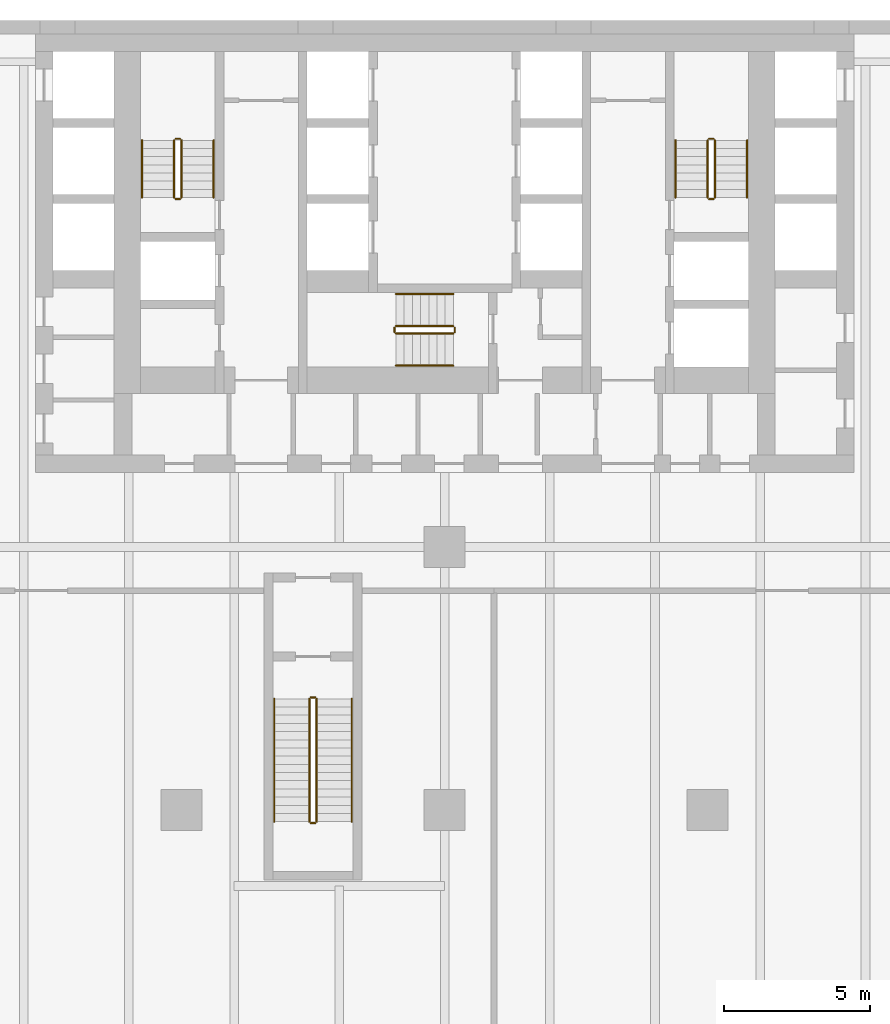
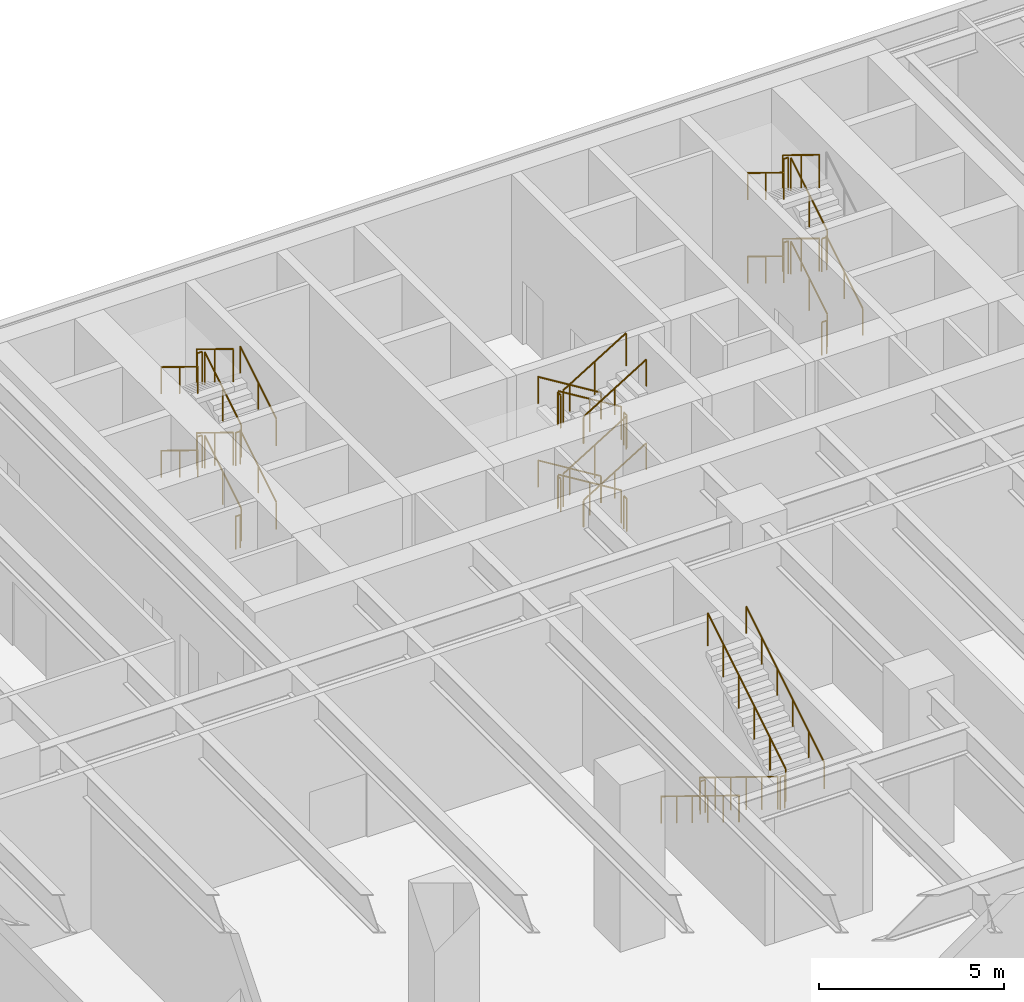
# One storey, part 29 of 30: 41 railings.
"""IFC4 building model written with IfcOpenShell, lengths in metres."""

from ifc_helpers import new_model, si_unit, direction, frame, origin, origin_2d, place, context, subcontext, project, spatial, circle, extrude, material, type_object, element, save


model = new_model("IFC4")

# Units and contexts
model_context = context("Model", 3, precision=1e-05, world=origin(), true_north=direction((0.0, 1.0)))
body_context = subcontext(model_context, "Body", "Model", "MODEL_VIEW")
ifc_project = project(units=[si_unit("LENGTHUNIT", "METRE"), si_unit("AREAUNIT", "SQUARE_METRE"), si_unit("VOLUMEUNIT", "CUBIC_METRE"), si_unit("PLANEANGLEUNIT", "RADIAN"), si_unit("MASSUNIT", "GRAM", prefix="KILO")], contexts=[model_context])

# Site, building, storey
site_placement = place(None, origin())
site = spatial("IfcSite", under=ifc_project, at=site_placement, CompositionType="ELEMENT")
building_placement = place(site_placement, origin())
building = spatial("IfcBuilding", under=site, at=building_placement, Name="Aloe Facet Convention Tower", CompositionType="ELEMENT")
storey_placement = place(building_placement, frame((0.0, 0.0, 19.5)))
storey = spatial("IfcBuildingStorey", under=building, at=storey_placement, Name="L03", CompositionType="ELEMENT", Elevation=19.5)

# Railings
ifc_material_1 = material(Name="Steel S355 balustrade", Category="steel")
railing_type_1 = type_object("IfcRailingType", Name="CR-RL-GUARD", PredefinedType="GUARDRAIL", material=ifc_material_1)
railing_1_placement = place(storey_placement, frame((71.0, 128.949951171875, 0.171875)))
element("IfcRailing", 1, at=railing_1_placement, inside=storey, type_object=railing_type_1, Name="L03 ST1 stair guard 1", PredefinedType="GUARDRAIL", context=body_context, shape_type="SweptSolid", body=[
    extrude(circle(Radius=0.02392578125, at=origin_2d()), frame((0.0, 0.0, 1.076171875), z_axis=(0.0, 0.852240978134, 0.523149419562), x_axis=(-1.0, 0.0, 0.0)), (0.0, 0.0, 1.0), 2.2998046875),
    extrude(circle(Radius=0.02099609375, at=origin_2d()), origin(), (0.0, 0.0, 1.0), 1.052001953125),
    extrude(circle(Radius=0.02099609375, at=origin_2d()), frame((0.0, 0.97998046875, 0.6015625)), (0.0, 0.0, 1.0), 1.052001953125),
    extrude(circle(Radius=0.02099609375, at=origin_2d()), frame((0.0, 1.9599609375, 1.203125)), (0.0, 0.0, 1.0), 1.052001953125),
])
railing_2_placement = place(storey_placement, frame((70.949951171875, 130.9599609375, 1.375)))
element("IfcRailing", 2, at=railing_2_placement, inside=storey, type_object=railing_type_1, Name="L03 ST1 stair guard 2", PredefinedType="GUARDRAIL", context=body_context, shape_type="SweptSolid", body=[
    extrude(circle(Radius=0.02392578125, at=origin_2d()), frame((0.0, 0.0, 1.076171875), z_axis=(-1.0, 0.0, 0.0), x_axis=(0.0, -1.0, 0.0)), (0.0, 0.0, 1.0), 0.14990234375),
    extrude(circle(Radius=0.02099609375, at=origin_2d()), origin(), (0.0, 0.0, 1.0), 1.052001953125),
    extrude(circle(Radius=0.02099609375, at=origin_2d()), frame((-0.14990234375, 0.0, 0.0)), (0.0, 0.0, 1.0), 1.052001953125),
])
railing_3_placement = place(storey_placement, frame((70.75, 130.909912109375, 1.546875)))
element("IfcRailing", 3, at=railing_3_placement, inside=storey, type_object=railing_type_1, Name="L03 ST1 stair guard 3", PredefinedType="GUARDRAIL", context=body_context, shape_type="SweptSolid", body=[
    extrude(circle(Radius=0.02392578125, at=origin_2d()), frame((0.0, 0.0, 1.076171875), z_axis=(0.0, -0.852240978134, 0.523149419562), x_axis=(1.0, 0.0, 0.0)), (0.0, 0.0, 1.0), 2.2998046875),
    extrude(circle(Radius=0.02099609375, at=origin_2d()), origin(), (0.0, 0.0, 1.0), 1.052001953125),
    extrude(circle(Radius=0.02099609375, at=origin_2d()), frame((0.0, -0.97998046875, 0.6015625)), (0.0, 0.0, 1.0), 1.052001953125),
    extrude(circle(Radius=0.02099609375, at=origin_2d()), frame((0.0, -1.9599609375, 1.203125)), (0.0, 0.0, 1.0), 1.052001953125),
])
railing_4_placement = place(storey_placement, frame((70.949951171875, 128.89990234375, 2.75)))
element("IfcRailing", 4, at=railing_4_placement, inside=storey, type_object=railing_type_1, Name="L03 ST1 stair guard 4", PredefinedType="GUARDRAIL", context=body_context, shape_type="SweptSolid", body=[
    extrude(circle(Radius=0.02392578125, at=origin_2d()), frame((0.0, 0.0, 1.076171875), z_axis=(-1.0, 0.0, 0.0), x_axis=(0.0, -1.0, 0.0)), (0.0, 0.0, 1.0), 0.14990234375),
    extrude(circle(Radius=0.02099609375, at=origin_2d()), origin(), (0.0, 0.0, 1.0), 1.052001953125),
    extrude(circle(Radius=0.02099609375, at=origin_2d()), frame((-0.14990234375, 0.0, 0.0)), (0.0, 0.0, 1.0), 1.052001953125),
])
railing_5_placement = place(storey_placement, frame((71.0, 128.949951171875, 2.921875)))
element("IfcRailing", 5, at=railing_5_placement, inside=storey, type_object=railing_type_1, Name="L03 ST1 stair guard 5", PredefinedType="GUARDRAIL", context=body_context, shape_type="SweptSolid", body=[
    extrude(circle(Radius=0.02392578125, at=origin_2d()), frame((0.0, 0.0, 1.076171875), z_axis=(0.0, 0.852240978134, 0.523149419562), x_axis=(-1.0, 0.0, 0.0)), (0.0, 0.0, 1.0), 2.2998046875),
    extrude(circle(Radius=0.02099609375, at=origin_2d()), origin(), (0.0, 0.0, 1.0), 1.052001953125),
    extrude(circle(Radius=0.02099609375, at=origin_2d()), frame((0.0, 0.97998046875, 0.6015625)), (0.0, 0.0, 1.0), 1.052001953125),
    extrude(circle(Radius=0.02099609375, at=origin_2d()), frame((0.0, 1.9599609375, 1.203125)), (0.0, 0.0, 1.0), 1.052001953125),
])
railing_6_placement = place(storey_placement, frame((70.949951171875, 130.9599609375, 4.125)))
element("IfcRailing", 6, at=railing_6_placement, inside=storey, type_object=railing_type_1, Name="L03 ST1 stair guard 6", PredefinedType="GUARDRAIL", context=body_context, shape_type="SweptSolid", body=[
    extrude(circle(Radius=0.02392578125, at=origin_2d()), frame((0.0, 0.0, 1.076171875), z_axis=(-1.0, 0.0, 0.0), x_axis=(0.0, -1.0, 0.0)), (0.0, 0.0, 1.0), 0.14990234375),
    extrude(circle(Radius=0.02099609375, at=origin_2d()), origin(), (0.0, 0.0, 1.0), 1.052001953125),
    extrude(circle(Radius=0.02099609375, at=origin_2d()), frame((-0.14990234375, 0.0, 0.0)), (0.0, 0.0, 1.0), 1.052001953125),
])
railing_7_placement = place(storey_placement, frame((70.75, 130.909912109375, 4.296875)))
element("IfcRailing", 7, at=railing_7_placement, inside=storey, type_object=railing_type_1, Name="L03 ST1 stair guard 7", PredefinedType="GUARDRAIL", context=body_context, shape_type="SweptSolid", body=[
    extrude(circle(Radius=0.02392578125, at=origin_2d()), frame((0.0, 0.0, 1.076171875), z_axis=(0.0, -0.852240978134, 0.523149419562), x_axis=(1.0, 0.0, 0.0)), (0.0, 0.0, 1.0), 2.2998046875),
    extrude(circle(Radius=0.02099609375, at=origin_2d()), origin(), (0.0, 0.0, 1.0), 1.052001953125),
    extrude(circle(Radius=0.02099609375, at=origin_2d()), frame((0.0, -0.97998046875, 0.6015625)), (0.0, 0.0, 1.0), 1.052001953125),
    extrude(circle(Radius=0.02099609375, at=origin_2d()), frame((0.0, -1.9599609375, 1.203125)), (0.0, 0.0, 1.0), 1.052001953125),
])
railing_8_placement = place(storey_placement, frame((70.949951171875, 128.89990234375, 0.0)))
element("IfcRailing", 8, at=railing_8_placement, inside=storey, type_object=railing_type_1, Name="L03 ST1 stair guard 8", PredefinedType="GUARDRAIL", context=body_context, shape_type="SweptSolid", body=[
    extrude(circle(Radius=0.02392578125, at=origin_2d()), frame((0.0, 0.0, 1.076171875), z_axis=(-1.0, 0.0, 0.0), x_axis=(0.0, -1.0, 0.0)), (0.0, 0.0, 1.0), 0.14990234375),
    extrude(circle(Radius=0.02099609375, at=origin_2d()), origin(), (0.0, 0.0, 1.0), 1.052001953125),
    extrude(circle(Radius=0.02099609375, at=origin_2d()), frame((-0.14990234375, 0.0, 0.0)), (0.0, 0.0, 1.0), 1.052001953125),
])
railing_9_placement = place(storey_placement, frame((89.25, 128.949951171875, 0.171875)))
element("IfcRailing", 9, at=railing_9_placement, inside=storey, type_object=railing_type_1, Name="L03 ST2 stair guard 1", PredefinedType="GUARDRAIL", context=body_context, shape_type="SweptSolid", body=[
    extrude(circle(Radius=0.02392578125, at=origin_2d()), frame((0.0, 0.0, 1.076171875), z_axis=(0.0, 0.852240978134, 0.523149419562), x_axis=(-1.0, 0.0, 0.0)), (0.0, 0.0, 1.0), 2.2998046875),
    extrude(circle(Radius=0.02099609375, at=origin_2d()), origin(), (0.0, 0.0, 1.0), 1.052001953125),
    extrude(circle(Radius=0.02099609375, at=origin_2d()), frame((0.0, 0.97998046875, 0.6015625)), (0.0, 0.0, 1.0), 1.052001953125),
    extrude(circle(Radius=0.02099609375, at=origin_2d()), frame((0.0, 1.9599609375, 1.203125)), (0.0, 0.0, 1.0), 1.052001953125),
])
railing_10_placement = place(storey_placement, frame((89.199951171875, 130.9599609375, 1.375)))
element("IfcRailing", 10, at=railing_10_placement, inside=storey, type_object=railing_type_1, Name="L03 ST2 stair guard 2", PredefinedType="GUARDRAIL", context=body_context, shape_type="SweptSolid", body=[
    extrude(circle(Radius=0.02392578125, at=origin_2d()), frame((0.0, 0.0, 1.076171875), z_axis=(-1.0, 0.0, 0.0), x_axis=(0.0, -1.0, 0.0)), (0.0, 0.0, 1.0), 0.14990234375),
    extrude(circle(Radius=0.02099609375, at=origin_2d()), origin(), (0.0, 0.0, 1.0), 1.052001953125),
    extrude(circle(Radius=0.02099609375, at=origin_2d()), frame((-0.14990234375, 0.0, 0.0)), (0.0, 0.0, 1.0), 1.052001953125),
])
railing_11_placement = place(storey_placement, frame((89.0, 130.909912109375, 1.546875)))
element("IfcRailing", 11, at=railing_11_placement, inside=storey, type_object=railing_type_1, Name="L03 ST2 stair guard 3", PredefinedType="GUARDRAIL", context=body_context, shape_type="SweptSolid", body=[
    extrude(circle(Radius=0.02392578125, at=origin_2d()), frame((0.0, 0.0, 1.076171875), z_axis=(0.0, -0.852240978134, 0.523149419562), x_axis=(1.0, 0.0, 0.0)), (0.0, 0.0, 1.0), 2.2998046875),
    extrude(circle(Radius=0.02099609375, at=origin_2d()), origin(), (0.0, 0.0, 1.0), 1.052001953125),
    extrude(circle(Radius=0.02099609375, at=origin_2d()), frame((0.0, -0.97998046875, 0.6015625)), (0.0, 0.0, 1.0), 1.052001953125),
    extrude(circle(Radius=0.02099609375, at=origin_2d()), frame((0.0, -1.9599609375, 1.203125)), (0.0, 0.0, 1.0), 1.052001953125),
])
railing_12_placement = place(storey_placement, frame((89.199951171875, 128.89990234375, 2.75)))
element("IfcRailing", 12, at=railing_12_placement, inside=storey, type_object=railing_type_1, Name="L03 ST2 stair guard 4", PredefinedType="GUARDRAIL", context=body_context, shape_type="SweptSolid", body=[
    extrude(circle(Radius=0.02392578125, at=origin_2d()), frame((0.0, 0.0, 1.076171875), z_axis=(-1.0, 0.0, 0.0), x_axis=(0.0, -1.0, 0.0)), (0.0, 0.0, 1.0), 0.14990234375),
    extrude(circle(Radius=0.02099609375, at=origin_2d()), origin(), (0.0, 0.0, 1.0), 1.052001953125),
    extrude(circle(Radius=0.02099609375, at=origin_2d()), frame((-0.14990234375, 0.0, 0.0)), (0.0, 0.0, 1.0), 1.052001953125),
])
railing_13_placement = place(storey_placement, frame((89.25, 128.949951171875, 2.921875)))
element("IfcRailing", 13, at=railing_13_placement, inside=storey, type_object=railing_type_1, Name="L03 ST2 stair guard 5", PredefinedType="GUARDRAIL", context=body_context, shape_type="SweptSolid", body=[
    extrude(circle(Radius=0.02392578125, at=origin_2d()), frame((0.0, 0.0, 1.076171875), z_axis=(0.0, 0.852240978134, 0.523149419562), x_axis=(-1.0, 0.0, 0.0)), (0.0, 0.0, 1.0), 2.2998046875),
    extrude(circle(Radius=0.02099609375, at=origin_2d()), origin(), (0.0, 0.0, 1.0), 1.052001953125),
    extrude(circle(Radius=0.02099609375, at=origin_2d()), frame((0.0, 0.97998046875, 0.6015625)), (0.0, 0.0, 1.0), 1.052001953125),
    extrude(circle(Radius=0.02099609375, at=origin_2d()), frame((0.0, 1.9599609375, 1.203125)), (0.0, 0.0, 1.0), 1.052001953125),
])
railing_14_placement = place(storey_placement, frame((89.199951171875, 130.9599609375, 4.125)))
element("IfcRailing", 14, at=railing_14_placement, inside=storey, type_object=railing_type_1, Name="L03 ST2 stair guard 6", PredefinedType="GUARDRAIL", context=body_context, shape_type="SweptSolid", body=[
    extrude(circle(Radius=0.02392578125, at=origin_2d()), frame((0.0, 0.0, 1.076171875), z_axis=(-1.0, 0.0, 0.0), x_axis=(0.0, -1.0, 0.0)), (0.0, 0.0, 1.0), 0.14990234375),
    extrude(circle(Radius=0.02099609375, at=origin_2d()), origin(), (0.0, 0.0, 1.0), 1.052001953125),
    extrude(circle(Radius=0.02099609375, at=origin_2d()), frame((-0.14990234375, 0.0, 0.0)), (0.0, 0.0, 1.0), 1.052001953125),
])
railing_15_placement = place(storey_placement, frame((89.0, 130.909912109375, 4.296875)))
element("IfcRailing", 15, at=railing_15_placement, inside=storey, type_object=railing_type_1, Name="L03 ST2 stair guard 7", PredefinedType="GUARDRAIL", context=body_context, shape_type="SweptSolid", body=[
    extrude(circle(Radius=0.02392578125, at=origin_2d()), frame((0.0, 0.0, 1.076171875), z_axis=(0.0, -0.852240978134, 0.523149419562), x_axis=(1.0, 0.0, 0.0)), (0.0, 0.0, 1.0), 2.2998046875),
    extrude(circle(Radius=0.02099609375, at=origin_2d()), origin(), (0.0, 0.0, 1.0), 1.052001953125),
    extrude(circle(Radius=0.02099609375, at=origin_2d()), frame((0.0, -0.97998046875, 0.6015625)), (0.0, 0.0, 1.0), 1.052001953125),
    extrude(circle(Radius=0.02099609375, at=origin_2d()), frame((0.0, -1.9599609375, 1.203125)), (0.0, 0.0, 1.0), 1.052001953125),
])
railing_16_placement = place(storey_placement, frame((89.199951171875, 128.89990234375, 0.0)))
element("IfcRailing", 16, at=railing_16_placement, inside=storey, type_object=railing_type_1, Name="L03 ST2 stair guard 8", PredefinedType="GUARDRAIL", context=body_context, shape_type="SweptSolid", body=[
    extrude(circle(Radius=0.02392578125, at=origin_2d()), frame((0.0, 0.0, 1.076171875), z_axis=(-1.0, 0.0, 0.0), x_axis=(0.0, -1.0, 0.0)), (0.0, 0.0, 1.0), 0.14990234375),
    extrude(circle(Radius=0.02099609375, at=origin_2d()), origin(), (0.0, 0.0, 1.0), 1.052001953125),
    extrude(circle(Radius=0.02099609375, at=origin_2d()), frame((-0.14990234375, 0.0, 0.0)), (0.0, 0.0, 1.0), 1.052001953125),
])
railing_17_placement = place(storey_placement, frame((80.300048828125, 124.550048828125, 0.171875)))
element("IfcRailing", 17, at=railing_17_placement, inside=storey, type_object=railing_type_1, Name="L03 ST3 stair guard 1", PredefinedType="GUARDRAIL", context=body_context, shape_type="SweptSolid", body=[
    extrude(circle(Radius=0.02392578125, at=origin_2d()), frame((0.0, 0.0, 1.076171875), z_axis=(-0.852240978134, 0.0, 0.523149419562), x_axis=(0.0, -1.0, 0.0)), (0.0, 0.0, 1.0), 2.2998046875),
    extrude(circle(Radius=0.02099609375, at=origin_2d()), origin(), (0.0, 0.0, 1.0), 1.052001953125),
    extrude(circle(Radius=0.02099609375, at=origin_2d()), frame((-0.97998046875, 0.0, 0.6015625)), (0.0, 0.0, 1.0), 1.052001953125),
    extrude(circle(Radius=0.02099609375, at=origin_2d()), frame((-1.9599609375, 0.0, 1.203125)), (0.0, 0.0, 1.0), 1.052001953125),
])
railing_18_placement = place(storey_placement, frame((78.2900390625, 124.5, 1.375)))
element("IfcRailing", 18, at=railing_18_placement, inside=storey, type_object=railing_type_1, Name="L03 ST3 stair guard 2", PredefinedType="GUARDRAIL", context=body_context, shape_type="SweptSolid", body=[
    extrude(circle(Radius=0.02392578125, at=origin_2d()), frame((0.0, 0.0, 1.076171875), z_axis=(0.0, -1.0, 0.0), x_axis=(1.0, 0.0, 0.0)), (0.0, 0.0, 1.0), 0.14990234375),
    extrude(circle(Radius=0.02099609375, at=origin_2d()), origin(), (0.0, 0.0, 1.0), 1.052001953125),
    extrude(circle(Radius=0.02099609375, at=origin_2d()), frame((0.0, -0.14990234375, 0.0)), (0.0, 0.0, 1.0), 1.052001953125),
])
railing_19_placement = place(storey_placement, frame((78.340087890625, 124.300048828125, 1.546875)))
element("IfcRailing", 19, at=railing_19_placement, inside=storey, type_object=railing_type_1, Name="L03 ST3 stair guard 3", PredefinedType="GUARDRAIL", context=body_context, shape_type="SweptSolid", body=[
    extrude(circle(Radius=0.02392578125, at=origin_2d()), frame((0.0, 0.0, 1.076171875), z_axis=(0.852240978134, 0.0, 0.523149419562), x_axis=(0.0, 1.0, 0.0)), (0.0, 0.0, 1.0), 2.2998046875),
    extrude(circle(Radius=0.02099609375, at=origin_2d()), origin(), (0.0, 0.0, 1.0), 1.052001953125),
    extrude(circle(Radius=0.02099609375, at=origin_2d()), frame((0.97998046875, 0.0, 0.6015625)), (0.0, 0.0, 1.0), 1.052001953125),
    extrude(circle(Radius=0.02099609375, at=origin_2d()), frame((1.9599609375, 0.0, 1.203125)), (0.0, 0.0, 1.0), 1.052001953125),
])
railing_20_placement = place(storey_placement, frame((80.35009765625, 124.5, 2.75)))
element("IfcRailing", 20, at=railing_20_placement, inside=storey, type_object=railing_type_1, Name="L03 ST3 stair guard 4", PredefinedType="GUARDRAIL", context=body_context, shape_type="SweptSolid", body=[
    extrude(circle(Radius=0.02392578125, at=origin_2d()), frame((0.0, 0.0, 1.076171875), z_axis=(0.0, -1.0, 0.0), x_axis=(1.0, 0.0, 0.0)), (0.0, 0.0, 1.0), 0.14990234375),
    extrude(circle(Radius=0.02099609375, at=origin_2d()), origin(), (0.0, 0.0, 1.0), 1.052001953125),
    extrude(circle(Radius=0.02099609375, at=origin_2d()), frame((0.0, -0.14990234375, 0.0)), (0.0, 0.0, 1.0), 1.052001953125),
])
railing_21_placement = place(storey_placement, frame((80.300048828125, 124.550048828125, 2.921875)))
element("IfcRailing", 21, at=railing_21_placement, inside=storey, type_object=railing_type_1, Name="L03 ST3 stair guard 5", PredefinedType="GUARDRAIL", context=body_context, shape_type="SweptSolid", body=[
    extrude(circle(Radius=0.02392578125, at=origin_2d()), frame((0.0, 0.0, 1.076171875), z_axis=(-0.852240978134, 0.0, 0.523149419562), x_axis=(0.0, -1.0, 0.0)), (0.0, 0.0, 1.0), 2.2998046875),
    extrude(circle(Radius=0.02099609375, at=origin_2d()), origin(), (0.0, 0.0, 1.0), 1.052001953125),
    extrude(circle(Radius=0.02099609375, at=origin_2d()), frame((-0.97998046875, 0.0, 0.6015625)), (0.0, 0.0, 1.0), 1.052001953125),
    extrude(circle(Radius=0.02099609375, at=origin_2d()), frame((-1.9599609375, 0.0, 1.203125)), (0.0, 0.0, 1.0), 1.052001953125),
])
railing_22_placement = place(storey_placement, frame((78.2900390625, 124.5, 4.125)))
element("IfcRailing", 22, at=railing_22_placement, inside=storey, type_object=railing_type_1, Name="L03 ST3 stair guard 6", PredefinedType="GUARDRAIL", context=body_context, shape_type="SweptSolid", body=[
    extrude(circle(Radius=0.02392578125, at=origin_2d()), frame((0.0, 0.0, 1.076171875), z_axis=(0.0, -1.0, 0.0), x_axis=(1.0, 0.0, 0.0)), (0.0, 0.0, 1.0), 0.14990234375),
    extrude(circle(Radius=0.02099609375, at=origin_2d()), origin(), (0.0, 0.0, 1.0), 1.052001953125),
    extrude(circle(Radius=0.02099609375, at=origin_2d()), frame((0.0, -0.14990234375, 0.0)), (0.0, 0.0, 1.0), 1.052001953125),
])
railing_23_placement = place(storey_placement, frame((78.340087890625, 124.300048828125, 4.296875)))
element("IfcRailing", 23, at=railing_23_placement, inside=storey, type_object=railing_type_1, Name="L03 ST3 stair guard 7", PredefinedType="GUARDRAIL", context=body_context, shape_type="SweptSolid", body=[
    extrude(circle(Radius=0.02392578125, at=origin_2d()), frame((0.0, 0.0, 1.076171875), z_axis=(0.852240978134, 0.0, 0.523149419562), x_axis=(0.0, 1.0, 0.0)), (0.0, 0.0, 1.0), 2.2998046875),
    extrude(circle(Radius=0.02099609375, at=origin_2d()), origin(), (0.0, 0.0, 1.0), 1.052001953125),
    extrude(circle(Radius=0.02099609375, at=origin_2d()), frame((0.97998046875, 0.0, 0.6015625)), (0.0, 0.0, 1.0), 1.052001953125),
    extrude(circle(Radius=0.02099609375, at=origin_2d()), frame((1.9599609375, 0.0, 1.203125)), (0.0, 0.0, 1.0), 1.052001953125),
])
railing_24_placement = place(storey_placement, frame((80.35009765625, 124.5, 0.0)))
element("IfcRailing", 24, at=railing_24_placement, inside=storey, type_object=railing_type_1, Name="L03 ST3 stair guard 8", PredefinedType="GUARDRAIL", context=body_context, shape_type="SweptSolid", body=[
    extrude(circle(Radius=0.02392578125, at=origin_2d()), frame((0.0, 0.0, 1.076171875), z_axis=(0.0, -1.0, 0.0), x_axis=(1.0, 0.0, 0.0)), (0.0, 0.0, 1.0), 0.14990234375),
    extrude(circle(Radius=0.02099609375, at=origin_2d()), origin(), (0.0, 0.0, 1.0), 1.052001953125),
    extrude(circle(Radius=0.02099609375, at=origin_2d()), frame((0.0, -0.14990234375, 0.0)), (0.0, 0.0, 1.0), 1.052001953125),
])
railing_25_placement = place(storey_placement, frame((75.375, 111.800048828125, 0.171875)))
element("IfcRailing", 25, at=railing_25_placement, inside=storey, type_object=railing_type_1, Name="L03 ST5 stair guard 1", PredefinedType="GUARDRAIL", context=body_context, shape_type="SweptSolid", body=[
    extrude(circle(Radius=0.02392578125, at=origin_2d()), frame((0.0, 0.0, 1.076171875), z_axis=(0.0, -0.852242915053, 0.523146264196), x_axis=(1.0, 0.0, 0.0)), (0.0, 0.0, 1.0), 4.92822265625),
    extrude(circle(Radius=0.02099609375, at=origin_2d()), origin(), (0.0, 0.0, 1.0), 1.052001953125),
    extrude(circle(Radius=0.02099609375, at=origin_2d()), frame((0.0, -0.840087890625, 0.515625)), (0.0, 0.0, 1.0), 1.052001953125),
    extrude(circle(Radius=0.02099609375, at=origin_2d()), frame((0.0, -1.679931640625, 1.03125)), (0.0, 0.0, 1.0), 1.052001953125),
    extrude(circle(Radius=0.02099609375, at=origin_2d()), frame((0.0, -2.52001953125, 1.546875)), (0.0, 0.0, 1.0), 1.052001953125),
    extrude(circle(Radius=0.02099609375, at=origin_2d()), frame((0.0, -3.35986328125, 2.0625)), (0.0, 0.0, 1.0), 1.052001953125),
    extrude(circle(Radius=0.02099609375, at=origin_2d()), frame((0.0, -4.199951171875, 2.578125)), (0.0, 0.0, 1.0), 1.052001953125),
])
railing_26_placement = place(storey_placement, frame((75.425048828125, 107.550048828125, 2.75)))
element("IfcRailing", 26, at=railing_26_placement, inside=storey, type_object=railing_type_1, Name="L03 ST5 stair guard 2", PredefinedType="GUARDRAIL", context=body_context, shape_type="SweptSolid", body=[
    extrude(circle(Radius=0.02392578125, at=origin_2d()), frame((0.0, 0.0, 1.076171875), z_axis=(1.0, 0.0, 0.0), x_axis=(0.0, 1.0, 0.0)), (0.0, 0.0, 1.0), 0.14990234375),
    extrude(circle(Radius=0.02099609375, at=origin_2d()), origin(), (0.0, 0.0, 1.0), 1.052001953125),
    extrude(circle(Radius=0.02099609375, at=origin_2d()), frame((0.14990234375, 0.0, 0.0)), (0.0, 0.0, 1.0), 1.052001953125),
])
railing_27_placement = place(storey_placement, frame((75.625, 107.60009765625, 2.921875)))
element("IfcRailing", 27, at=railing_27_placement, inside=storey, type_object=railing_type_1, Name="L03 ST5 stair guard 3", PredefinedType="GUARDRAIL", context=body_context, shape_type="SweptSolid", body=[
    extrude(circle(Radius=0.02392578125, at=origin_2d()), frame((0.0, 0.0, 1.076171875), z_axis=(0.0, 0.852242915053, 0.523146264196), x_axis=(-1.0, 0.0, 0.0)), (0.0, 0.0, 1.0), 4.92822265625),
    extrude(circle(Radius=0.02099609375, at=origin_2d()), origin(), (0.0, 0.0, 1.0), 1.052001953125),
    extrude(circle(Radius=0.02099609375, at=origin_2d()), frame((0.0, 0.840087890625, 0.515625)), (0.0, 0.0, 1.0), 1.052001953125),
    extrude(circle(Radius=0.02099609375, at=origin_2d()), frame((0.0, 1.679931640625, 1.03125)), (0.0, 0.0, 1.0), 1.052001953125),
    extrude(circle(Radius=0.02099609375, at=origin_2d()), frame((0.0, 2.52001953125, 1.546875)), (0.0, 0.0, 1.0), 1.052001953125),
    extrude(circle(Radius=0.02099609375, at=origin_2d()), frame((0.0, 3.35986328125, 2.0625)), (0.0, 0.0, 1.0), 1.052001953125),
    extrude(circle(Radius=0.02099609375, at=origin_2d()), frame((0.0, 4.199951171875, 2.578125)), (0.0, 0.0, 1.0), 1.052001953125),
])
railing_28_placement = place(storey_placement, frame((75.425048828125, 111.85009765625, 0.0)))
element("IfcRailing", 28, at=railing_28_placement, inside=storey, type_object=railing_type_1, Name="L03 ST5 stair guard 4", PredefinedType="GUARDRAIL", context=body_context, shape_type="SweptSolid", body=[
    extrude(circle(Radius=0.02392578125, at=origin_2d()), frame((0.0, 0.0, 1.076171875), z_axis=(1.0, 0.0, 0.0), x_axis=(0.0, 1.0, 0.0)), (0.0, 0.0, 1.0), 0.14990234375),
    extrude(circle(Radius=0.02099609375, at=origin_2d()), origin(), (0.0, 0.0, 1.0), 1.052001953125),
    extrude(circle(Radius=0.02099609375, at=origin_2d()), frame((0.14990234375, 0.0, 0.0)), (0.0, 0.0, 1.0), 1.052001953125),
])
ifc_material_2 = material(Name="Steel S355 handrail", Category="steel")
railing_type_2 = type_object("IfcRailingType", Name="CR-RL-HAND", PredefinedType="HANDRAIL", material=ifc_material_2)
railing_29_placement = place(storey_placement, frame((72.10009765625, 128.949951171875, 0.171875)))
element("IfcRailing", 29, at=railing_29_placement, inside=storey, type_object=railing_type_2, Name="L03 ST1 stair handrail 1", PredefinedType="HANDRAIL", context=body_context, shape_type="SweptSolid", body=[
    extrude(circle(Radius=0.02392578125, at=origin_2d()), frame((0.0, 0.0, 0.8759765625), z_axis=(0.0, 0.852240978134, 0.523149419562), x_axis=(-1.0, 0.0, 0.0)), (0.0, 0.0, 1.0), 2.2998046875),
    extrude(circle(Radius=0.02099609375, at=origin_2d()), origin(), (0.0, 0.0, 1.0), 0.851806640625),
    extrude(circle(Radius=0.02099609375, at=origin_2d()), frame((0.0, 0.97998046875, 0.6015625)), (0.0, 0.0, 1.0), 0.851806640625),
    extrude(circle(Radius=0.02099609375, at=origin_2d()), frame((0.0, 1.9599609375, 1.203125)), (0.0, 0.0, 1.0), 0.851806640625),
])
railing_30_placement = place(storey_placement, frame((69.64990234375, 130.909912109375, 1.546875)))
element("IfcRailing", 30, at=railing_30_placement, inside=storey, type_object=railing_type_2, Name="L03 ST1 stair handrail 2", PredefinedType="HANDRAIL", context=body_context, shape_type="SweptSolid", body=[
    extrude(circle(Radius=0.02392578125, at=origin_2d()), frame((0.0, 0.0, 0.8759765625), z_axis=(0.0, -0.852240978134, 0.523149419562), x_axis=(1.0, 0.0, 0.0)), (0.0, 0.0, 1.0), 2.2998046875),
    extrude(circle(Radius=0.02099609375, at=origin_2d()), origin(), (0.0, 0.0, 1.0), 0.851806640625),
    extrude(circle(Radius=0.02099609375, at=origin_2d()), frame((0.0, -0.97998046875, 0.6015625)), (0.0, 0.0, 1.0), 0.851806640625),
    extrude(circle(Radius=0.02099609375, at=origin_2d()), frame((0.0, -1.9599609375, 1.203125)), (0.0, 0.0, 1.0), 0.851806640625),
])
railing_31_placement = place(storey_placement, frame((72.10009765625, 128.949951171875, 2.921875)))
element("IfcRailing", 31, at=railing_31_placement, inside=storey, type_object=railing_type_2, Name="L03 ST1 stair handrail 3", PredefinedType="HANDRAIL", context=body_context, shape_type="SweptSolid", body=[
    extrude(circle(Radius=0.02392578125, at=origin_2d()), frame((0.0, 0.0, 0.8759765625), z_axis=(0.0, 0.852240978134, 0.523149419562), x_axis=(-1.0, 0.0, 0.0)), (0.0, 0.0, 1.0), 2.2998046875),
    extrude(circle(Radius=0.02099609375, at=origin_2d()), origin(), (0.0, 0.0, 1.0), 0.851806640625),
    extrude(circle(Radius=0.02099609375, at=origin_2d()), frame((0.0, 0.97998046875, 0.6015625)), (0.0, 0.0, 1.0), 0.851806640625),
    extrude(circle(Radius=0.02099609375, at=origin_2d()), frame((0.0, 1.9599609375, 1.203125)), (0.0, 0.0, 1.0), 0.851806640625),
])
railing_32_placement = place(storey_placement, frame((69.64990234375, 130.909912109375, 4.296875)))
element("IfcRailing", 32, at=railing_32_placement, inside=storey, type_object=railing_type_2, Name="L03 ST1 stair handrail 4", PredefinedType="HANDRAIL", context=body_context, shape_type="SweptSolid", body=[
    extrude(circle(Radius=0.02392578125, at=origin_2d()), frame((0.0, 0.0, 0.8759765625), z_axis=(0.0, -0.852240978134, 0.523149419562), x_axis=(1.0, 0.0, 0.0)), (0.0, 0.0, 1.0), 2.2998046875),
    extrude(circle(Radius=0.02099609375, at=origin_2d()), origin(), (0.0, 0.0, 1.0), 0.851806640625),
    extrude(circle(Radius=0.02099609375, at=origin_2d()), frame((0.0, -0.97998046875, 0.6015625)), (0.0, 0.0, 1.0), 0.851806640625),
    extrude(circle(Radius=0.02099609375, at=origin_2d()), frame((0.0, -1.9599609375, 1.203125)), (0.0, 0.0, 1.0), 0.851806640625),
])
railing_33_placement = place(storey_placement, frame((90.35009765625, 128.949951171875, 0.171875)))
element("IfcRailing", 33, at=railing_33_placement, inside=storey, type_object=railing_type_2, Name="L03 ST2 stair handrail 1", PredefinedType="HANDRAIL", context=body_context, shape_type="SweptSolid", body=[
    extrude(circle(Radius=0.02392578125, at=origin_2d()), frame((0.0, 0.0, 0.8759765625), z_axis=(0.0, 0.852240978134, 0.523149419562), x_axis=(-1.0, 0.0, 0.0)), (0.0, 0.0, 1.0), 2.2998046875),
    extrude(circle(Radius=0.02099609375, at=origin_2d()), origin(), (0.0, 0.0, 1.0), 0.851806640625),
    extrude(circle(Radius=0.02099609375, at=origin_2d()), frame((0.0, 0.97998046875, 0.6015625)), (0.0, 0.0, 1.0), 0.851806640625),
    extrude(circle(Radius=0.02099609375, at=origin_2d()), frame((0.0, 1.9599609375, 1.203125)), (0.0, 0.0, 1.0), 0.851806640625),
])
for number, where, name in (
    (34, (87.89990234375, 130.909912109375, 1.546875), "L03 ST2 stair handrail 2"),
    (35, (87.89990234375, 130.909912109375, 4.296875), "L03 ST2 stair handrail 4"),
):
    element("IfcRailing", number, at=place(storey_placement, frame(where)), inside=storey, type_object=railing_type_2, Name=name, PredefinedType="HANDRAIL", context=body_context, shape_type="SweptSolid", body=[
        extrude(circle(Radius=0.02392578125, at=origin_2d()), frame((0.0, 0.0, 0.8759765625), z_axis=(0.0, -0.852240978134, 0.523149419562), x_axis=(1.0, 0.0, 0.0)), (0.0, 0.0, 1.0), 2.2998046875),
        extrude(circle(Radius=0.02099609375, at=origin_2d()), origin(), (0.0, 0.0, 1.0), 0.851806640625),
        extrude(circle(Radius=0.02099609375, at=origin_2d()), frame((0.0, -0.97998046875, 0.6015625)), (0.0, 0.0, 1.0), 0.851806640625),
        extrude(circle(Radius=0.02099609375, at=origin_2d()), frame((0.0, -1.9599609375, 1.203125)), (0.0, 0.0, 1.0), 0.851806640625),
    ])
railing_34_placement = place(storey_placement, frame((80.300048828125, 125.64990234375, 0.171875)))
element("IfcRailing", 36, at=railing_34_placement, inside=storey, type_object=railing_type_2, Name="L03 ST3 stair handrail 1", PredefinedType="HANDRAIL", context=body_context, shape_type="SweptSolid", body=[
    extrude(circle(Radius=0.02392578125, at=origin_2d()), frame((0.0, 0.0, 0.8759765625), z_axis=(-0.852240978134, 0.0, 0.523149419562), x_axis=(0.0, -1.0, 0.0)), (0.0, 0.0, 1.0), 2.2998046875),
    extrude(circle(Radius=0.02099609375, at=origin_2d()), origin(), (0.0, 0.0, 1.0), 0.851806640625),
    extrude(circle(Radius=0.02099609375, at=origin_2d()), frame((-0.97998046875, 0.0, 0.6015625)), (0.0, 0.0, 1.0), 0.851806640625),
    extrude(circle(Radius=0.02099609375, at=origin_2d()), frame((-1.9599609375, 0.0, 1.203125)), (0.0, 0.0, 1.0), 0.851806640625),
])
railing_35_placement = place(storey_placement, frame((78.340087890625, 123.199951171875, 1.546875)))
element("IfcRailing", 37, at=railing_35_placement, inside=storey, type_object=railing_type_2, Name="L03 ST3 stair handrail 2", PredefinedType="HANDRAIL", context=body_context, shape_type="SweptSolid", body=[
    extrude(circle(Radius=0.02392578125, at=origin_2d()), frame((0.0, 0.0, 0.8759765625), z_axis=(0.852240978134, 0.0, 0.523149419562), x_axis=(0.0, 1.0, 0.0)), (0.0, 0.0, 1.0), 2.2998046875),
    extrude(circle(Radius=0.02099609375, at=origin_2d()), origin(), (0.0, 0.0, 1.0), 0.851806640625),
    extrude(circle(Radius=0.02099609375, at=origin_2d()), frame((0.97998046875, 0.0, 0.6015625)), (0.0, 0.0, 1.0), 0.851806640625),
    extrude(circle(Radius=0.02099609375, at=origin_2d()), frame((1.9599609375, 0.0, 1.203125)), (0.0, 0.0, 1.0), 0.851806640625),
])
railing_36_placement = place(storey_placement, frame((80.300048828125, 125.64990234375, 2.921875)))
element("IfcRailing", 38, at=railing_36_placement, inside=storey, type_object=railing_type_2, Name="L03 ST3 stair handrail 3", PredefinedType="HANDRAIL", context=body_context, shape_type="SweptSolid", body=[
    extrude(circle(Radius=0.02392578125, at=origin_2d()), frame((0.0, 0.0, 0.8759765625), z_axis=(-0.852240978134, 0.0, 0.523149419562), x_axis=(0.0, -1.0, 0.0)), (0.0, 0.0, 1.0), 2.2998046875),
    extrude(circle(Radius=0.02099609375, at=origin_2d()), origin(), (0.0, 0.0, 1.0), 0.851806640625),
    extrude(circle(Radius=0.02099609375, at=origin_2d()), frame((-0.97998046875, 0.0, 0.6015625)), (0.0, 0.0, 1.0), 0.851806640625),
    extrude(circle(Radius=0.02099609375, at=origin_2d()), frame((-1.9599609375, 0.0, 1.203125)), (0.0, 0.0, 1.0), 0.851806640625),
])
railing_37_placement = place(storey_placement, frame((78.340087890625, 123.199951171875, 4.296875)))
element("IfcRailing", 39, at=railing_37_placement, inside=storey, type_object=railing_type_2, Name="L03 ST3 stair handrail 4", PredefinedType="HANDRAIL", context=body_context, shape_type="SweptSolid", body=[
    extrude(circle(Radius=0.02392578125, at=origin_2d()), frame((0.0, 0.0, 0.8759765625), z_axis=(0.852240978134, 0.0, 0.523149419562), x_axis=(0.0, 1.0, 0.0)), (0.0, 0.0, 1.0), 2.2998046875),
    extrude(circle(Radius=0.02099609375, at=origin_2d()), origin(), (0.0, 0.0, 1.0), 0.851806640625),
    extrude(circle(Radius=0.02099609375, at=origin_2d()), frame((0.97998046875, 0.0, 0.6015625)), (0.0, 0.0, 1.0), 0.851806640625),
    extrude(circle(Radius=0.02099609375, at=origin_2d()), frame((1.9599609375, 0.0, 1.203125)), (0.0, 0.0, 1.0), 0.851806640625),
])
railing_38_placement = place(storey_placement, frame((74.175048828125, 111.800048828125, 0.171875)))
element("IfcRailing", 40, at=railing_38_placement, inside=storey, type_object=railing_type_2, Name="L03 ST5 stair handrail 1", PredefinedType="HANDRAIL", context=body_context, shape_type="SweptSolid", body=[
    extrude(circle(Radius=0.02392578125, at=origin_2d()), frame((0.0, 0.0, 0.8759765625), z_axis=(0.0, -0.852242915053, 0.523146264196), x_axis=(1.0, 0.0, 0.0)), (0.0, 0.0, 1.0), 4.92822265625),
    extrude(circle(Radius=0.02099609375, at=origin_2d()), origin(), (0.0, 0.0, 1.0), 0.851806640625),
    extrude(circle(Radius=0.02099609375, at=origin_2d()), frame((0.0, -0.840087890625, 0.515625)), (0.0, 0.0, 1.0), 0.851806640625),
    extrude(circle(Radius=0.02099609375, at=origin_2d()), frame((0.0, -1.679931640625, 1.03125)), (0.0, 0.0, 1.0), 0.851806640625),
    extrude(circle(Radius=0.02099609375, at=origin_2d()), frame((0.0, -2.52001953125, 1.546875)), (0.0, 0.0, 1.0), 0.851806640625),
    extrude(circle(Radius=0.02099609375, at=origin_2d()), frame((0.0, -3.35986328125, 2.0625)), (0.0, 0.0, 1.0), 0.851806640625),
    extrude(circle(Radius=0.02099609375, at=origin_2d()), frame((0.0, -4.199951171875, 2.578125)), (0.0, 0.0, 1.0), 0.851806640625),
])
railing_39_placement = place(storey_placement, frame((76.824951171875, 107.60009765625, 2.921875)))
element("IfcRailing", 41, at=railing_39_placement, inside=storey, type_object=railing_type_2, Name="L03 ST5 stair handrail 2", PredefinedType="HANDRAIL", context=body_context, shape_type="SweptSolid", body=[
    extrude(circle(Radius=0.02392578125, at=origin_2d()), frame((0.0, 0.0, 0.8759765625), z_axis=(0.0, 0.852242915053, 0.523146264196), x_axis=(-1.0, 0.0, 0.0)), (0.0, 0.0, 1.0), 4.92822265625),
    extrude(circle(Radius=0.02099609375, at=origin_2d()), origin(), (0.0, 0.0, 1.0), 0.851806640625),
    extrude(circle(Radius=0.02099609375, at=origin_2d()), frame((0.0, 0.840087890625, 0.515625)), (0.0, 0.0, 1.0), 0.851806640625),
    extrude(circle(Radius=0.02099609375, at=origin_2d()), frame((0.0, 1.679931640625, 1.03125)), (0.0, 0.0, 1.0), 0.851806640625),
    extrude(circle(Radius=0.02099609375, at=origin_2d()), frame((0.0, 2.52001953125, 1.546875)), (0.0, 0.0, 1.0), 0.851806640625),
    extrude(circle(Radius=0.02099609375, at=origin_2d()), frame((0.0, 3.35986328125, 2.0625)), (0.0, 0.0, 1.0), 0.851806640625),
    extrude(circle(Radius=0.02099609375, at=origin_2d()), frame((0.0, 4.199951171875, 2.578125)), (0.0, 0.0, 1.0), 0.851806640625),
])

save(model, "model.ifc")
